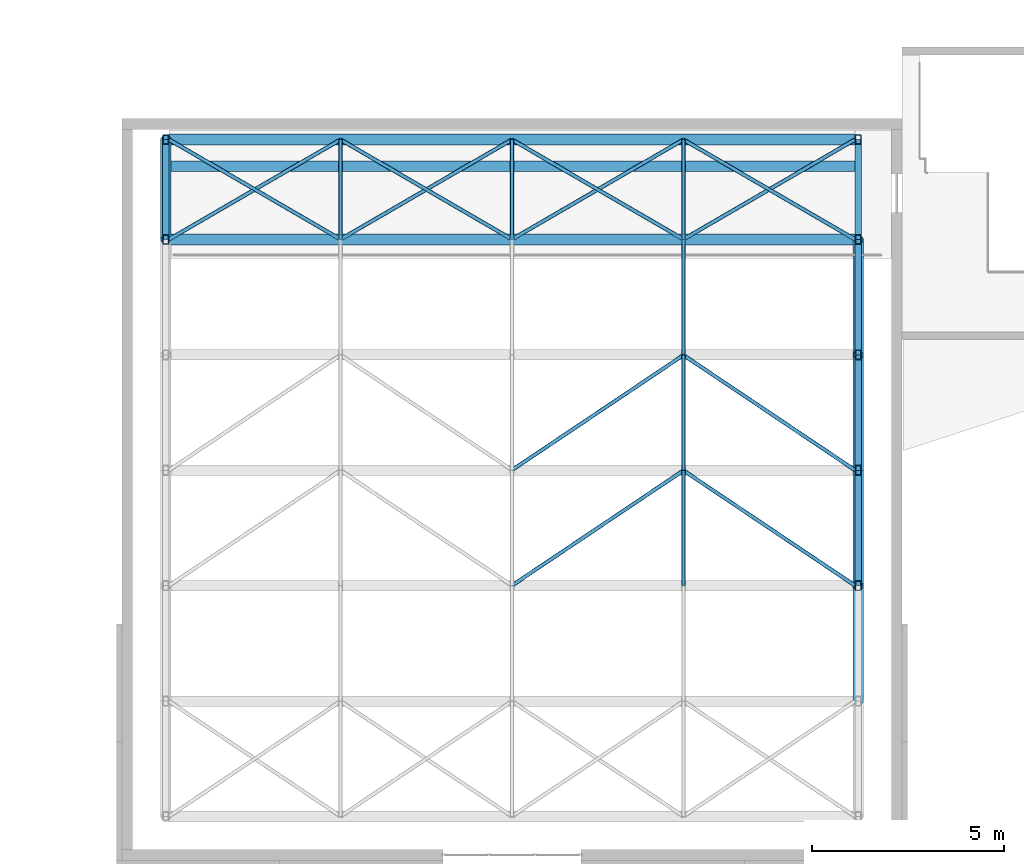
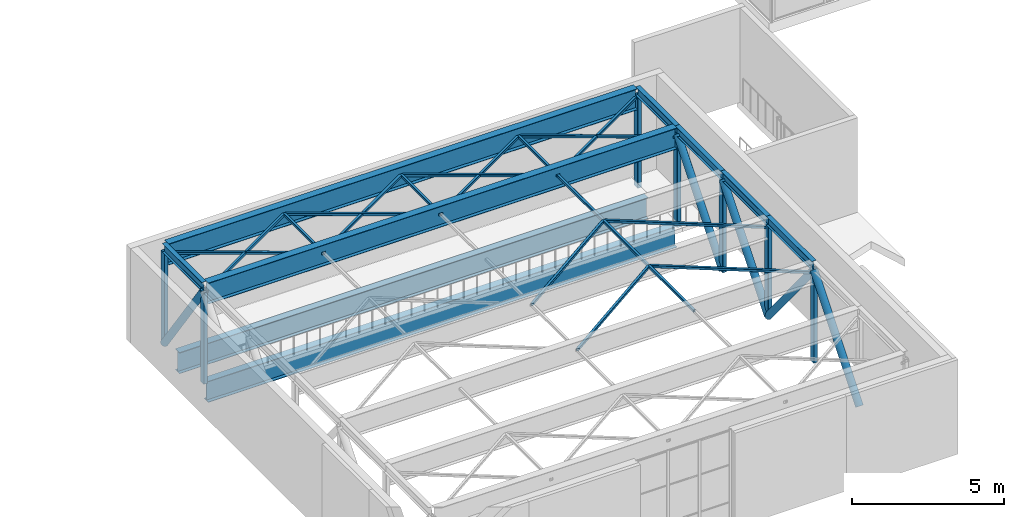
# One storey, part 31 of 81: 35 members, 4 beams.
"""IFC4 building model written with IfcOpenShell, lengths in metres."""

from ifc_helpers import new_model, si_unit, direction, frame, origin, origin_2d, place, context, subcontext, project, spatial, hollow_rectangle, hollow_circle, i_section, extrude, material, material_profile, profile_set, type_object, element, save


model = new_model("IFC4")

# Units and contexts
model_context = context("Model", 3, precision=1e-05, world=origin(), true_north=direction((0.0, 1.0)))
body_context = subcontext(model_context, "Body", "Model", "MODEL_VIEW")
ifc_project = project(units=[si_unit("LENGTHUNIT", "METRE"), si_unit("AREAUNIT", "SQUARE_METRE"), si_unit("VOLUMEUNIT", "CUBIC_METRE"), si_unit("PLANEANGLEUNIT", "RADIAN"), si_unit("MASSUNIT", "GRAM", prefix="KILO")], contexts=[model_context])

# Site, building, storey
site_placement = place(None, origin())
site = spatial("IfcSite", under=ifc_project, at=site_placement, CompositionType="ELEMENT")
building_placement = place(site_placement, origin())
building = spatial("IfcBuilding", under=site, at=building_placement, Name="Tuart Plaza Theatre", CompositionType="ELEMENT")
storey_placement = place(building_placement, frame((0.0, 0.0, 17.5)))
storey = spatial("IfcBuildingStorey", under=building, at=storey_placement, Name="L04", CompositionType="ELEMENT", Elevation=17.5)

# Beams
ifc_material_1 = material(Name="Steel Grade 300", Category="steel")
ifc_material_profile_1 = material_profile(ifc_material_1, i_section(OverallWidth=0.27490234375, OverallDepth=0.85009765625, WebThickness=0.010009765625, FlangeThickness=0.01611328125, at=origin_2d()), Name="850WB146")
ifc_profile_set_1 = profile_set([ifc_material_profile_1], Name="Steel Grade 300")
beam_type_1 = type_object("IfcBeamType", Name="BEAM 850WB146 GALLERY", PredefinedType="BEAM", material=ifc_profile_set_1)
for number, where, z_axis, x_axis, name in (
    (1, (87.08544921875, 47.0, -0.574951171875), (1.0, 0.0, 0.0), (0.0, 1.0, 0.0), "SB128"),
    (2, (87.08544921875, 48.89990234375, -0.574951171875), (1.0, 0.0, 0.0), (0.0, 1.0, 0.0), "SB129"),
):
    element("IfcBeam", number, at=place(storey_placement, frame(where, z_axis=z_axis, x_axis=x_axis)), inside=storey, type_object=beam_type_1, Name=name, PredefinedType="BEAM", context=body_context, shape_type="SweptSolid", body=[
        extrude(i_section(OverallWidth=0.27490234375, OverallDepth=0.85009765625, WebThickness=0.010009765625, FlangeThickness=0.01611328125, at=origin_2d()), origin(), (0.0, 0.0, 1.0), 17.8291015625),
    ])
ifc_material_2 = material(Name="Steel Grade 300", Category="steel")
ifc_material_profile_2 = material_profile(ifc_material_2, i_section(OverallWidth=0.27490234375, OverallDepth=0.85009765625, WebThickness=0.010009765625, FlangeThickness=0.01611328125, at=origin_2d()), Name="850WB146")
ifc_profile_set_2 = profile_set([ifc_material_profile_2], Name="Steel Grade 300")
beam_type_2 = type_object("IfcBeamType", Name="BEAM 850WB146 ROOF PROPPED", PredefinedType="BEAM", material=ifc_profile_set_2)
beam_1_placement = place(storey_placement, frame((87.08544921875, 47.0, 3.375), z_axis=(1.0, 0.0, 0.0), x_axis=(0.0, 1.0, 0.0)))
element("IfcBeam", 3, at=beam_1_placement, inside=storey, type_object=beam_type_2, Name="SB126", PredefinedType="BEAM", context=body_context, shape_type="SweptSolid", body=[
    extrude(i_section(OverallWidth=0.27490234375, OverallDepth=0.85009765625, WebThickness=0.010009765625, FlangeThickness=0.01611328125, at=origin_2d()), origin(), (0.0, 0.0, 1.0), 17.8291015625),
])
ifc_material_3 = material(Name="Steel Grade 300", Category="steel")
ifc_material_profile_3 = material_profile(ifc_material_3, i_section(OverallWidth=0.27490234375, OverallDepth=0.85009765625, WebThickness=0.010009765625, FlangeThickness=0.01611328125, at=origin_2d()), Name="850WB146")
ifc_profile_set_3 = profile_set([ifc_material_profile_3], Name="Steel Grade 300")
beam_type_3 = type_object("IfcBeamType", Name="BEAM 850WB146 ROOF REAR EDGE", PredefinedType="BEAM", material=ifc_profile_set_3)
beam_2_placement = place(storey_placement, frame((87.08544921875, 49.60009765625, 3.375), z_axis=(1.0, 0.0, 0.0), x_axis=(0.0, 1.0, 0.0)))
element("IfcBeam", 4, at=beam_2_placement, inside=storey, type_object=beam_type_3, Name="SB127", PredefinedType="BEAM", context=body_context, shape_type="SweptSolid", body=[
    extrude(i_section(OverallWidth=0.27490234375, OverallDepth=0.85009765625, WebThickness=0.010009765625, FlangeThickness=0.01611328125, at=origin_2d()), origin(), (0.0, 0.0, 1.0), 17.8291015625),
])

# Members
ifc_material_4 = material(Name="Steel Grade 300", Category="steel")
ifc_material_profile_4 = material_profile(ifc_material_4, i_section(OverallWidth=0.1708984375, OverallDepth=0.35205078125, WebThickness=0.0068359375, FlangeThickness=0.009765625, FilletRadius=0.011474609375, at=origin_2d()), Name="360UB44.7")
ifc_profile_set_4 = profile_set([ifc_material_profile_4], Name="Steel Grade 300")
member_type_1 = type_object("IfcMemberType", Name="BELT TRUSS Chord 360UB44.7", PredefinedType="CHORD", material=ifc_profile_set_4)
member_1_placement = place(storey_placement, frame((87.0, 47.0, 3.6240234375), z_axis=(0.0, 1.0, 0.0), x_axis=(-1.0, 0.0, 0.0)))
element("IfcMember", 5, at=member_1_placement, inside=storey, type_object=member_type_1, Name="CH53", PredefinedType="CHORD", context=body_context, shape_type="SweptSolid", body=[
    extrude(i_section(OverallWidth=0.1708984375, OverallDepth=0.35205078125, WebThickness=0.0068359375, FlangeThickness=0.009765625, FilletRadius=0.011474609375, at=origin_2d()), origin(), (0.0, 0.0, 1.0), 2.60009765625),
])
for number, where, z_axis, x_axis, name in (
    (6, (105.0, 38.0, 3.6240234375), (0.0, 1.0, 0.0), (-1.0, 0.0, 0.0), "CH68"),
    (7, (105.0, 41.0, 3.6240234375), (0.0, 1.0, 0.0), (-1.0, 0.0, 0.0), "CH69"),
    (8, (105.0, 44.0, 3.6240234375), (0.0, 1.0, 0.0), (-1.0, 0.0, 0.0), "CH70"),
):
    element("IfcMember", number, at=place(storey_placement, frame(where, z_axis=z_axis, x_axis=x_axis)), inside=storey, type_object=member_type_1, Name=name, PredefinedType="CHORD", context=body_context, shape_type="SweptSolid", body=[
        extrude(i_section(OverallWidth=0.1708984375, OverallDepth=0.35205078125, WebThickness=0.0068359375, FlangeThickness=0.009765625, FilletRadius=0.011474609375, at=origin_2d()), origin(), (0.0, 0.0, 1.0), 3.0),
    ])
member_2_placement = place(storey_placement, frame((105.0, 47.0, 3.6240234375), z_axis=(0.0, 1.0, 0.0), x_axis=(-1.0, 0.0, 0.0)))
element("IfcMember", 9, at=member_2_placement, inside=storey, type_object=member_type_1, Name="CH71", PredefinedType="CHORD", context=body_context, shape_type="SweptSolid", body=[
    extrude(i_section(OverallWidth=0.1708984375, OverallDepth=0.35205078125, WebThickness=0.0068359375, FlangeThickness=0.009765625, FilletRadius=0.011474609375, at=origin_2d()), origin(), (0.0, 0.0, 1.0), 2.60009765625),
])
ifc_material_5 = material(Name="Steel Grade C350L0", Category="steel")
ifc_material_profile_5 = material_profile(ifc_material_5, hollow_circle(Radius=0.136474609375, WallThickness=0.00927734375, at=origin_2d()), Name="273.1x9.3 CHS")
ifc_profile_set_5 = profile_set([ifc_material_profile_5], Name="Steel Grade C350L0")
member_type_2 = type_object("IfcMemberType", Name="BELT TRUSS Diagonal 273.1x9.3 CHS", PredefinedType="BRACE", material=ifc_profile_set_5)
member_3_placement = place(storey_placement, frame((87.0, 49.60009765625, -0.22412109375), z_axis=(0.0, -0.577871299406, 0.816127907452), x_axis=(1.0, 0.0, 0.0)))
element("IfcMember", 10, at=member_3_placement, inside=storey, type_object=member_type_2, Name="BR164", PredefinedType="BRACE", context=body_context, shape_type="SweptSolid", body=[
    extrude(hollow_circle(Radius=0.136474609375, WallThickness=0.00927734375, at=origin_2d()), origin(), (0.0, 0.0, 1.0), 4.49951171875),
])
for number, where, z_axis, x_axis, name in (
    (11, (105.0, 35.0, -0.22412109375), (0.0, 0.63267406752, 0.774418184373), (-1.0, 0.0, 0.0), "BR168"),
    (12, (105.0, 41.0, -0.22412109375), (0.0, -0.63267406752, 0.774418184373), (1.0, 0.0, 0.0), "BR170"),
    (13, (105.0, 41.0, -0.22412109375), (0.0, 0.63267406752, 0.774418184373), (-1.0, 0.0, 0.0), "BR171"),
    (14, (105.0, 44.0, -0.22412109375), (0.0, 0.63267406752, 0.774418184373), (-1.0, 0.0, 0.0), "BR173"),
):
    element("IfcMember", number, at=place(storey_placement, frame(where, z_axis=z_axis, x_axis=x_axis)), inside=storey, type_object=member_type_2, Name=name, PredefinedType="BRACE", context=body_context, shape_type="SweptSolid", body=[
        extrude(hollow_circle(Radius=0.136474609375, WallThickness=0.00927734375, at=origin_2d()), origin(), (0.0, 0.0, 1.0), 4.74169921875),
    ])
ifc_material_6 = material(Name="Steel Grade C350L0", Category="steel")
ifc_material_profile_6 = material_profile(ifc_material_6, hollow_rectangle(XDim=0.14990234375, YDim=0.25, WallThickness=0.009033203125, InnerFilletRadius=0.009033203125, OuterFilletRadius=0.01806640625, at=origin_2d()), Name="250x150x9 RHS")
ifc_profile_set_6 = profile_set([ifc_material_profile_6], Name="Steel Grade C350L0")
member_type_3 = type_object("IfcMemberType", Name="BELT TRUSS Post 250x150x9 RHS", PredefinedType="POST", material=ifc_profile_set_6)
for number, where, z_axis, x_axis, name in (
    (15, (87.0, 47.0, -0.22412109375), (0.0, 0.0, 1.0), (1.0, 0.0, 0.0), "PO224"),
    (16, (87.0, 49.60009765625, -0.22412109375), (0.0, 0.0, 1.0), (1.0, 0.0, 0.0), "PO226"),
    (17, (105.0, 38.0, -0.22412109375), (0.0, 0.0, 1.0), (1.0, 0.0, 0.0), "PO232"),
    (18, (105.0, 41.0, -0.22412109375), (0.0, 0.0, 1.0), (1.0, 0.0, 0.0), "PO234"),
    (19, (105.0, 44.0, -0.22412109375), (0.0, 0.0, 1.0), (1.0, 0.0, 0.0), "PO236"),
    (20, (105.0, 47.0, -0.22412109375), (0.0, 0.0, 1.0), (1.0, 0.0, 0.0), "PO238"),
    (21, (105.0, 49.60009765625, -0.22412109375), (0.0, 0.0, 1.0), (1.0, 0.0, 0.0), "PO240"),
):
    element("IfcMember", number, at=place(storey_placement, frame(where, z_axis=z_axis, x_axis=x_axis)), inside=storey, type_object=member_type_3, Name=name, PredefinedType="POST", context=body_context, shape_type="SweptSolid", body=[
        extrude(hollow_rectangle(XDim=0.14990234375, YDim=0.25, WallThickness=0.009033203125, InnerFilletRadius=0.009033203125, OuterFilletRadius=0.01806640625, at=origin_2d()), origin(), (0.0, 0.0, 1.0), 3.672119140625),
    ])
ifc_material_7 = material(Name="Steel Grade C350L0", Category="steel")
ifc_material_profile_7 = material_profile(ifc_material_7, hollow_rectangle(XDim=0.10009765625, YDim=0.10009765625, WallThickness=0.006103515625, InnerFilletRadius=0.006103515625, OuterFilletRadius=0.011962890625, at=origin_2d()), Name="100x100x6 SHS")
ifc_profile_set_7 = profile_set([ifc_material_profile_7], Name="Steel Grade C350L0")
member_type_4 = type_object("IfcMemberType", Name="MEMBER Brace 100x100x6 SHS", PredefinedType="BRACE", material=ifc_profile_set_7)
for number, where, z_axis, x_axis, name in (
    (22, (96.0, 38.0048828125, 3.375), (0.830437288335, 0.557112116313, 0.0), (-0.557112116313, 0.830437288335, 0.0), "BR181"),
    (23, (100.457275390625, 40.9951171875, 3.375), (0.830437288335, -0.557112116313, 0.0), (0.557112116313, 0.830437288335, 0.0), "BR182"),
    (24, (96.0, 41.0048828125, 3.375), (0.830437288335, 0.557112116313, 0.0), (-0.557112116313, 0.830437288335, 0.0), "BR185"),
    (25, (100.457275390625, 43.9951171875, 3.375), (0.830437288335, -0.557112116313, 0.0), (0.557112116313, 0.830437288335, 0.0), "BR186"),
):
    element("IfcMember", number, at=place(storey_placement, frame(where, z_axis=z_axis, x_axis=x_axis)), inside=storey, type_object=member_type_4, Name=name, PredefinedType="BRACE", context=body_context, shape_type="SweptSolid", body=[
        extrude(hollow_rectangle(XDim=0.10009765625, YDim=0.10009765625, WallThickness=0.006103515625, InnerFilletRadius=0.006103515625, OuterFilletRadius=0.011962890625, at=origin_2d()), origin(), (0.0, 0.0, 1.0), 5.367431640625),
    ])
for number, where, z_axis, x_axis, name in (
    (26, (87.08544921875, 47.0048828125, 3.375), (0.86462106185, 0.502424541007, 0.0), (-0.502424541007, 0.86462106185, 0.0), "BR187"),
    (27, (87.08544921875, 49.594970703125, 3.375), (0.86462106185, -0.502424541007, 0.0), (0.502424541007, 0.86462106185, 0.0), "BR187"),
    (28, (91.542724609375, 47.0048828125, 3.375), (0.86462106185, 0.502424541007, 0.0), (-0.502424541007, 0.86462106185, 0.0), "BR188"),
    (29, (91.542724609375, 49.594970703125, 3.375), (0.86462106185, -0.502424541007, 0.0), (0.502424541007, 0.86462106185, 0.0), "BR188"),
    (30, (96.0, 47.0048828125, 3.375), (0.86462106185, 0.502424541007, 0.0), (-0.502424541007, 0.86462106185, 0.0), "BR189"),
    (31, (96.0, 49.594970703125, 3.375), (0.86462106185, -0.502424541007, 0.0), (0.502424541007, 0.86462106185, 0.0), "BR189"),
    (32, (100.457275390625, 47.0048828125, 3.375), (0.86462106185, 0.502424541007, 0.0), (-0.502424541007, 0.86462106185, 0.0), "BR190"),
    (33, (100.457275390625, 49.594970703125, 3.375), (0.86462106185, -0.502424541007, 0.0), (0.502424541007, 0.86462106185, 0.0), "BR190"),
):
    element("IfcMember", number, at=place(storey_placement, frame(where, z_axis=z_axis, x_axis=x_axis)), inside=storey, type_object=member_type_4, Name=name, PredefinedType="BRACE", context=body_context, shape_type="SweptSolid", body=[
        extrude(hollow_rectangle(XDim=0.10009765625, YDim=0.10009765625, WallThickness=0.006103515625, InnerFilletRadius=0.006103515625, OuterFilletRadius=0.011962890625, at=origin_2d()), origin(), (0.0, 0.0, 1.0), 5.1552734375),
    ])
ifc_material_8 = material(Name="Steel Grade C350L0", Category="steel")
ifc_material_profile_8 = material_profile(ifc_material_8, hollow_rectangle(XDim=0.10009765625, YDim=0.10009765625, WallThickness=0.006103515625, InnerFilletRadius=0.006103515625, OuterFilletRadius=0.011962890625, at=origin_2d()), Name="100x100x6 SHS")
ifc_profile_set_8 = profile_set([ifc_material_profile_8], Name="Steel Grade C350L0")
member_type_5 = type_object("IfcMemberType", Name="MEMBER Purlin 100x100x6 SHS", PredefinedType="PURLIN", material=ifc_profile_set_8)
for number, where, z_axis, x_axis, name in (
    (34, (100.457275390625, 38.0048828125, 3.375), (0.0, 1.0, 0.0), (-1.0, 0.0, 0.0), "PU123"),
    (35, (100.457275390625, 41.0048828125, 3.375), (0.0, 1.0, 0.0), (-1.0, 0.0, 0.0), "PU126"),
    (36, (100.457275390625, 44.0048828125, 3.375), (0.0, 1.0, 0.0), (-1.0, 0.0, 0.0), "PU129"),
):
    element("IfcMember", number, at=place(storey_placement, frame(where, z_axis=z_axis, x_axis=x_axis)), inside=storey, type_object=member_type_5, Name=name, PredefinedType="PURLIN", context=body_context, shape_type="SweptSolid", body=[
        extrude(hollow_rectangle(XDim=0.10009765625, YDim=0.10009765625, WallThickness=0.006103515625, InnerFilletRadius=0.006103515625, OuterFilletRadius=0.011962890625, at=origin_2d()), origin(), (0.0, 0.0, 1.0), 2.990234375),
    ])
for number, where, z_axis, x_axis, name in (
    (37, (91.542724609375, 47.0048828125, 3.375), (0.0, 1.0, 0.0), (-1.0, 0.0, 0.0), "PU130"),
    (38, (96.0, 47.0048828125, 3.375), (0.0, 1.0, 0.0), (-1.0, 0.0, 0.0), "PU131"),
    (39, (100.457275390625, 47.0048828125, 3.375), (0.0, 1.0, 0.0), (-1.0, 0.0, 0.0), "PU132"),
):
    element("IfcMember", number, at=place(storey_placement, frame(where, z_axis=z_axis, x_axis=x_axis)), inside=storey, type_object=member_type_5, Name=name, PredefinedType="PURLIN", context=body_context, shape_type="SweptSolid", body=[
        extrude(hollow_rectangle(XDim=0.10009765625, YDim=0.10009765625, WallThickness=0.006103515625, InnerFilletRadius=0.006103515625, OuterFilletRadius=0.011962890625, at=origin_2d()), origin(), (0.0, 0.0, 1.0), 2.590087890625),
    ])

save(model, "model.ifc")
